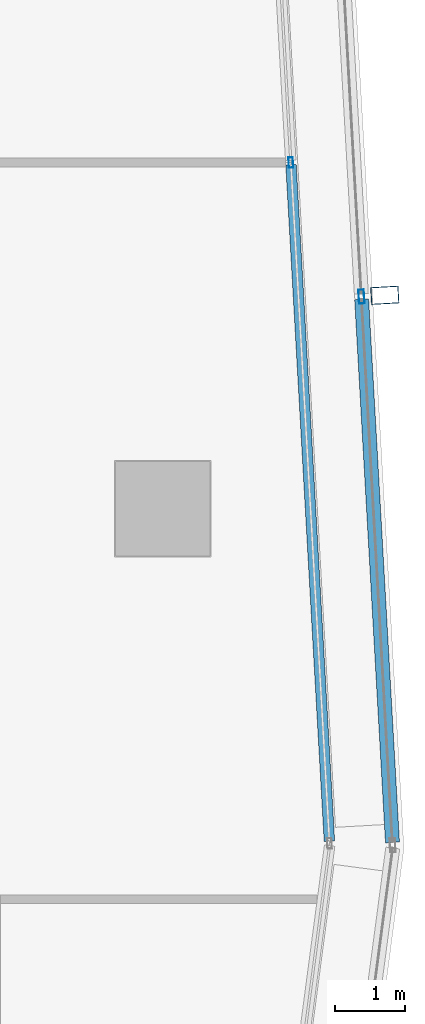
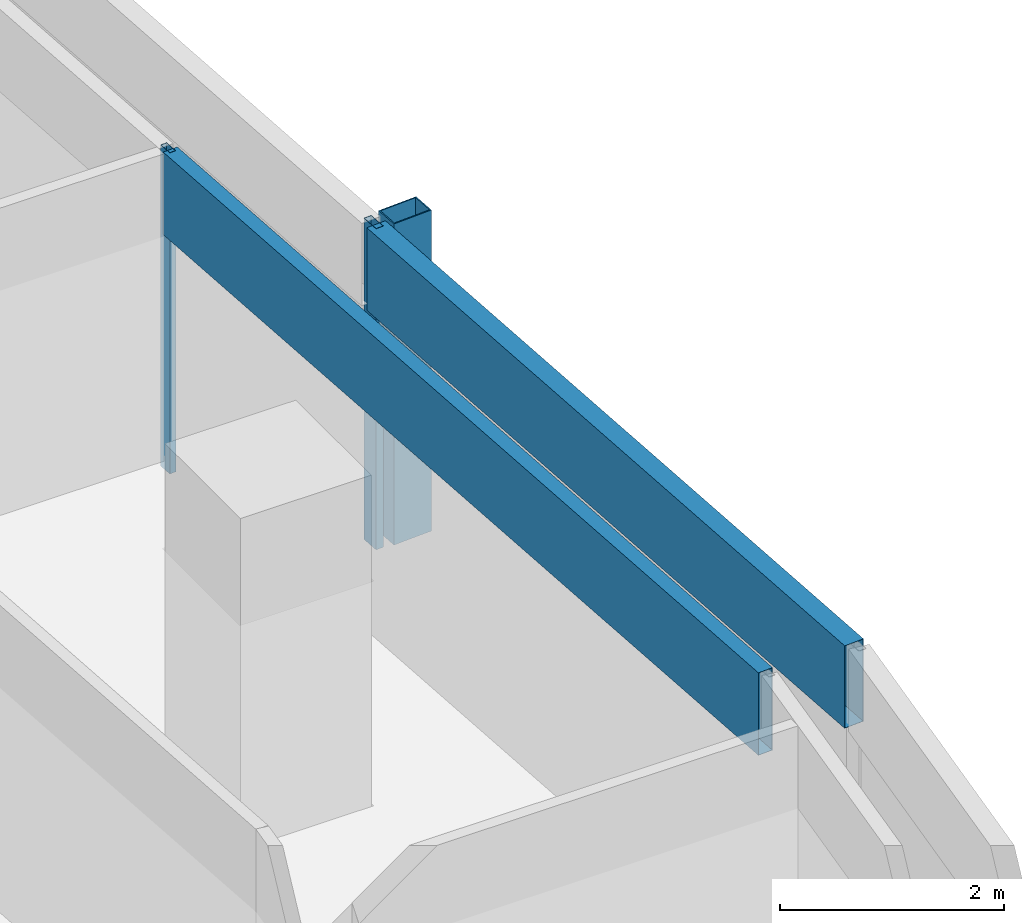
# One storey, part 14 of 38: 5 members, 2 elements without a shape of their own.
"""IFC4 building model written with IfcOpenShell, lengths in metres."""

from ifc_helpers import new_model, si_unit, direction, frame, origin, origin_2d, place, context, subcontext, project, spatial, hollow_rectangle, extrude, material, material_profile, profile_set, type_object, element, aggregate, save


model = new_model("IFC4")

# Units and contexts
model_context = context("Model", 3, precision=1e-05, world=origin(), true_north=direction((0.0, 1.0)))
body_context = subcontext(model_context, "Body", "Model", "MODEL_VIEW")
ifc_project = project(units=[si_unit("LENGTHUNIT", "METRE"), si_unit("AREAUNIT", "SQUARE_METRE"), si_unit("VOLUMEUNIT", "CUBIC_METRE"), si_unit("PLANEANGLEUNIT", "RADIAN"), si_unit("MASSUNIT", "GRAM", prefix="KILO")], contexts=[model_context])

# Site, building, storey
site_placement = place(None, origin())
site = spatial("IfcSite", under=ifc_project, at=site_placement, CompositionType="ELEMENT")
building_placement = place(site_placement, origin())
building = spatial("IfcBuilding", under=site, at=building_placement, Name="Rekha Terrace Tower", CompositionType="ELEMENT")
storey_placement = place(building_placement, frame((0.0, 0.0, 195.199951171875)))
storey = spatial("IfcBuildingStorey", under=building, at=storey_placement, Name="L49", CompositionType="ELEMENT", Elevation=195.199951171875)

# Curtain wall, member
ifc_material_1 = material(Name="Aluminium framing", Category="aluminium")
curtain_wall_type_1 = type_object("IfcCurtainWallType", Name="CW2 double skin outer glazing", PredefinedType="USERDEFINED", material=ifc_material_1)
curtain_wall_1_placement = place(storey_placement, origin())
curtain_wall_1 = element("IfcCurtainWall", 1, at=curtain_wall_1_placement, inside=storey, type_object=curtain_wall_type_1, Name="CW2 double skin outer glazing", ObjectType="DOUBLE SKIN OUTER GLAZING", PredefinedType="USERDEFINED")
ifc_material_2 = material(Name="Steel S355 with fluorocarbon finish", Category="steel")
ifc_material_profile_1 = material_profile(ifc_material_2, hollow_rectangle(XDim=0.25, YDim=0.39990234375, WallThickness=0.012451171875, at=origin_2d()), Name="RHS400x250x12.5")
ifc_profile_set_1 = profile_set([ifc_material_profile_1], Name="Steel S355 with fluorocarbon finish")
member_type_1 = type_object("IfcMemberType", Name="BL1 facade blade RHS 400 x 250", PredefinedType="USERDEFINED", material=ifc_profile_set_1)
member_1_placement = place(storey_placement, frame((61.975830078125, 36.65576171875, 0.0), z_axis=(0.0, 0.0, 1.0), x_axis=(-0.056673619809, 0.998392758797, 0.0)))
member_1 = element("IfcMember", 2, at=member_1_placement, type_object=member_type_1, Name="Facade blade", ObjectType="FACADE BLADE", PredefinedType="USERDEFINED", context=body_context, shape_type="SweptSolid", body=[
    extrude(hollow_rectangle(XDim=0.25, YDim=0.39990234375, WallThickness=0.012451171875, at=origin_2d()), origin(), (0.0, 0.0, 1.0), 3.5),
])

# Curtain wall, members
curtain_wall_type_2 = type_object("IfcCurtainWallType", Name="CW1 double skin inner glazing", PredefinedType="USERDEFINED", material=ifc_material_1)
curtain_wall_2_placement = place(storey_placement, origin())
curtain_wall_2 = element("IfcCurtainWall", 3, at=curtain_wall_2_placement, inside=storey, type_object=curtain_wall_type_2, Name="CW1 double skin inner glazing", ObjectType="DOUBLE SKIN INNER GLAZING", PredefinedType="USERDEFINED")
ifc_material_3 = material(Name="Aluminium mullion section", Category="aluminium")
ifc_material_profile_2 = material_profile(ifc_material_3, hollow_rectangle(XDim=0.06494140625, YDim=0.14990234375, WallThickness=0.00390625, at=origin_2d()), Name="AL RHS 65x150")
ifc_profile_set_2 = profile_set([ifc_material_profile_2], Name="Aluminium mullion section")
member_type_2 = type_object("IfcMemberType", Name="CW1 mullion RHS 65 x 150", PredefinedType="MULLION", material=ifc_profile_set_2)
member_2_placement = place(storey_placement, frame((60.631103515625, 38.555908203125, 0.0), z_axis=(0.0, 0.0, 1.0), x_axis=(-0.998392782919, -0.05667319486, 0.0)))
member_2 = element("IfcMember", 4, at=member_2_placement, type_object=member_type_2, Name="CW1 mullion 2", PredefinedType="MULLION", context=body_context, shape_type="SweptSolid", body=[
    extrude(hollow_rectangle(XDim=0.06494140625, YDim=0.14990234375, WallThickness=0.00390625, at=origin_2d()), origin(), (0.0, 0.0, 1.0), 3.5),
])
ifc_material_4 = material(Name="Insulated aluminium spandrel box", Category="aluminium")
ifc_material_profile_3 = material_profile(ifc_material_4, hollow_rectangle(XDim=0.14990234375, YDim=0.89990234375, WallThickness=0.0029296875, at=origin_2d()), Name="AL SPANDREL BOX 150x900")
ifc_profile_set_3 = profile_set([ifc_material_profile_3], Name="Insulated aluminium spandrel box")
member_type_3 = type_object("IfcMemberType", Name="CW1 spandrel transom 150 x 900", PredefinedType="USERDEFINED", material=ifc_profile_set_3)
member_3_placement = place(storey_placement, frame((61.182373046875, 28.8447265625, 3.050048828125), z_axis=(-0.056663932611, 0.998393308642, 0.0), x_axis=(-0.998393308642, -0.056663932611, 0.0)))
member_3 = element("IfcMember", 5, at=member_3_placement, type_object=member_type_3, Name="CW1 spandrel transom 1", ObjectType="TRANSOM", PredefinedType="USERDEFINED", context=body_context, shape_type="SweptSolid", body=[
    extrude(hollow_rectangle(XDim=0.14990234375, YDim=0.89990234375, WallThickness=0.0029296875, at=origin_2d()), origin(), (0.0, 0.0, 1.0), 9.6943359375),
])
aggregate(curtain_wall_2, [member_2, member_3])

# Member
ifc_material_profile_4 = material_profile(ifc_material_3, hollow_rectangle(XDim=0.080078125, YDim=0.199951171875, WallThickness=0.00390625, at=origin_2d()), Name="AL RHS 80x200")
ifc_profile_set_4 = profile_set([ifc_material_profile_4], Name="Aluminium mullion section")
member_type_4 = type_object("IfcMemberType", Name="CW2 mullion RHS 80 x 200", PredefinedType="MULLION", material=ifc_profile_set_4)
member_4_placement = place(storey_placement, frame((61.6416015625, 36.63671875, 0.0), z_axis=(0.0, 0.0, 1.0), x_axis=(-0.998392782919, -0.05667319486, 0.0)))
member_4 = element("IfcMember", 6, at=member_4_placement, type_object=member_type_4, Name="CW2 mullion 2", PredefinedType="MULLION", context=body_context, shape_type="SweptSolid", body=[
    extrude(hollow_rectangle(XDim=0.080078125, YDim=0.199951171875, WallThickness=0.00390625, at=origin_2d()), origin(), (0.0, 0.0, 1.0), 3.5),
])

ifc_material_profile_5 = material_profile(ifc_material_4, hollow_rectangle(XDim=0.199951171875, YDim=0.89990234375, WallThickness=0.0029296875, at=origin_2d()), Name="AL SPANDREL BOX 200x900")
ifc_profile_set_5 = profile_set([ifc_material_profile_5], Name="Insulated aluminium spandrel box")
member_type_5 = type_object("IfcMemberType", Name="CW2 spandrel transom 200 x 900", PredefinedType="USERDEFINED", material=ifc_profile_set_5)
member_5_placement = place(storey_placement, frame((62.0849609375, 28.825927734375, 3.050048828125), z_axis=(-0.05667908121, 0.998392448766, 0.0), x_axis=(-0.998392448766, -0.05667908121, 0.0)))
member_5 = element("IfcMember", 7, at=member_5_placement, type_object=member_type_5, Name="CW2 spandrel transom 1", ObjectType="TRANSOM", PredefinedType="USERDEFINED", context=body_context, shape_type="SweptSolid", body=[
    extrude(hollow_rectangle(XDim=0.199951171875, YDim=0.89990234375, WallThickness=0.0029296875, at=origin_2d()), origin(), (0.0, 0.0, 1.0), 7.783447265625),
])

aggregate(curtain_wall_1, [member_4, member_5, member_1])

save(model, "model.ifc")
